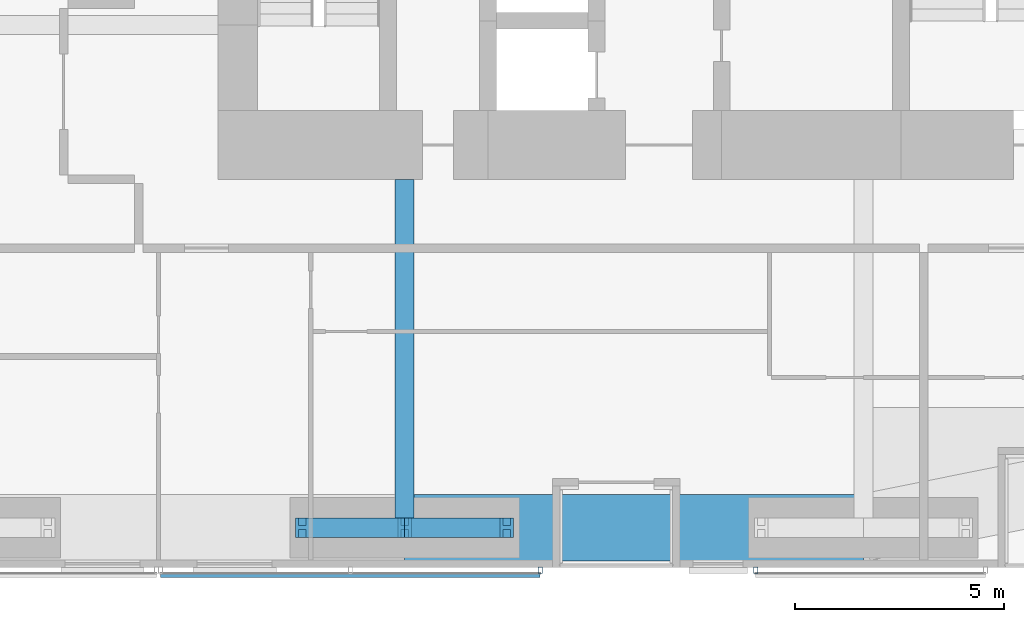
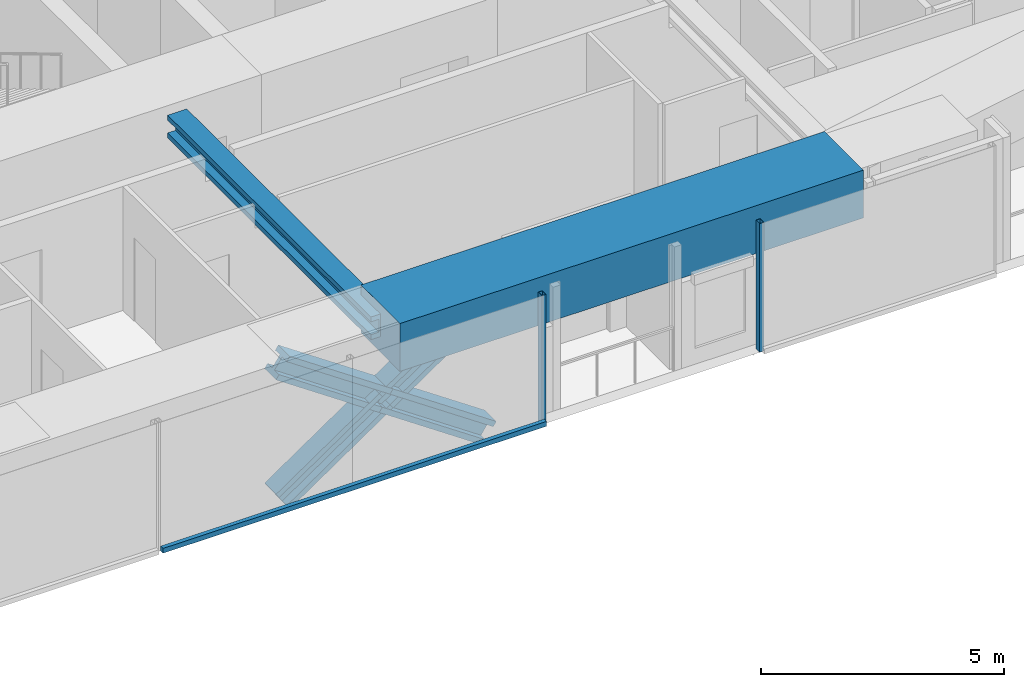
# One storey, part 5 of 24: 7 members, 2 beams, 2 elements without a shape of their own.
"""IFC4 building model written with IfcOpenShell, lengths in metres."""

from ifc_helpers import new_model, si_unit, direction, frame, origin, origin_2d, place, context, subcontext, project, spatial, rectangle, hollow_rectangle, i_section, extrude, material, material_profile, profile_set, type_object, element, aggregate, save


model = new_model("IFC4")

# Units and contexts
model_context = context("Model", 3, precision=1e-05, world=origin(), true_north=direction((0.0, 1.0)))
body_context = subcontext(model_context, "Body", "Model", "MODEL_VIEW")
ifc_project = project(units=[si_unit("LENGTHUNIT", "METRE"), si_unit("AREAUNIT", "SQUARE_METRE"), si_unit("VOLUMEUNIT", "CUBIC_METRE"), si_unit("PLANEANGLEUNIT", "RADIAN"), si_unit("MASSUNIT", "GRAM", prefix="KILO")], contexts=[model_context])

# Site, building, storey
site_placement = place(None, origin())
site = spatial("IfcSite", under=ifc_project, at=site_placement, CompositionType="ELEMENT")
building_placement = place(site_placement, origin())
building = spatial("IfcBuilding", under=site, at=building_placement, Name="Jalousie Tower", CompositionType="ELEMENT")
storey_placement = place(building_placement, frame((0.0, 0.0, 51.14990234375)))
storey = spatial("IfcBuildingStorey", under=building, at=storey_placement, Name="L13", CompositionType="ELEMENT", Elevation=51.14990234375)

# Beam
ifc_material_1 = material(Name="Steel ASTM A992 Grade 50", Category="steel")
ifc_material_profile_1 = material_profile(ifc_material_1, i_section(OverallWidth=0.45458984375, OverallDepth=0.569091796875, WebThickness=0.077880859375, FlangeThickness=0.124755859375, at=origin_2d()), Name="W14X730")
ifc_profile_set_1 = profile_set([ifc_material_profile_1], Name="Steel ASTM A992 Grade 50")
beam_type_1 = type_object("IfcBeamType", Name="LEAN COLLECTOR W14X730", PredefinedType="BEAM", material=ifc_profile_set_1)
beam_1_placement = place(storey_placement, frame((24.0, 0.949951171875, 2.82568359375), z_axis=(0.0, 1.0, 0.0), x_axis=(-1.0, 0.0, 0.0)))
element("IfcBeam", 1, at=beam_1_placement, inside=storey, type_object=beam_type_1, Name="Lean collector under L14", PredefinedType="BEAM", context=body_context, shape_type="SweptSolid", body=[
    extrude(i_section(OverallWidth=0.45458984375, OverallDepth=0.569091796875, WebThickness=0.077880859375, FlangeThickness=0.124755859375, at=origin_2d()), origin(), (0.0, 0.0, 1.0), 8.35009765625),
])

# Members
ifc_material_2 = material(Name="Steel ASTM A992 Grade 50", Category="steel")
ifc_material_profile_2 = material_profile(ifc_material_2, i_section(OverallWidth=0.472412109375, OverallDepth=0.5791015625, WebThickness=0.094970703125, FlangeThickness=0.1298828125, at=origin_2d()), Name="W14X808")
ifc_profile_set_2 = profile_set([ifc_material_profile_2], Name="Steel ASTM A992 Grade 50")
member_type_1 = type_object("IfcMemberType", Name="PERIMETER BRACE W14X808", PredefinedType="BRACE", material=ifc_profile_set_2)
for number, where, z_axis, x_axis, name in (
    (2, (21.550048828125, 0.949951171875, -0.599853515625), (0.825500916831, 0.0, 0.564400776321), (0.0, 1.0, 0.0), "Perimeter brace 03 L13 part 1"),
    (3, (24.0, 0.949951171875, 1.0751953125), (0.825539243753, 0.0, 0.564344714713), (0.0, 1.0, 0.0), "Perimeter brace 03 L13 part 2"),
    (4, (26.449951171875, 0.949951171875, -0.599853515625), (-0.825500916831, 0.0, 0.564400776321), (0.0, -1.0, 0.0), "Perimeter brace 03 L13 part 3"),
    (5, (24.0, 0.949951171875, 1.0751953125), (-0.825539243753, 0.0, 0.564344714713), (0.0, -1.0, 0.0), "Perimeter brace 03 L13 part 4"),
):
    element("IfcMember", number, at=place(storey_placement, frame(where, z_axis=z_axis, x_axis=x_axis)), inside=storey, type_object=member_type_1, Name=name, PredefinedType="BRACE", context=body_context, shape_type="SweptSolid", body=[
        extrude(i_section(OverallWidth=0.472412109375, OverallDepth=0.5791015625, WebThickness=0.094970703125, FlangeThickness=0.1298828125, at=origin_2d()), origin(), (0.0, 0.0, 1.0), 2.9677734375),
    ])

# Beam
ifc_material_3 = material(Name="Concrete f'c 40 MPa", Category="concrete")
ifc_material_profile_3 = material_profile(ifc_material_3, rectangle(XDim=1.60009765625, YDim=1.199951171875, at=origin_2d()), Name="RC 1600x1200")
ifc_profile_set_3 = profile_set([ifc_material_profile_3], Name="Concrete f'c 40 MPa")
beam_type_2 = type_object("IfcBeamType", Name="RC BEAM 1600x1200", PredefinedType="BEAM", material=ifc_profile_set_3)
beam_2_placement = place(storey_placement, frame((24.0, 0.949951171875, 2.75), z_axis=(1.0, 0.0, 0.0), x_axis=(0.0, 1.0, 0.0)))
element("IfcBeam", 6, at=beam_2_placement, inside=storey, type_object=beam_type_2, Name="Edge band beam 03-04 under L14", PredefinedType="BEAM", context=body_context, shape_type="SweptSolid", body=[
    extrude(rectangle(XDim=1.60009765625, YDim=1.199951171875, at=origin_2d()), origin(), (0.0, 0.0, 1.0), 11.0),
])

# Curtain wall, member
ifc_material_4 = material(Name="Perforated aluminium sheet", Category="aluminium")
curtain_wall_type = type_object("IfcCurtainWallType", Name="SOLAR SCREEN SS-1", PredefinedType="USERDEFINED", material=ifc_material_4)
curtain_wall_1_placement = place(storey_placement, origin())
curtain_wall_1 = element("IfcCurtainWall", 7, at=curtain_wall_1_placement, inside=storey, type_object=curtain_wall_type, Name="Solar screen L13", ObjectType="SOLAR SCREEN SS-1", PredefinedType="USERDEFINED")
ifc_material_5 = material(Name="Steel ASTM A500 Grade C", Category="steel")
ifc_material_profile_4 = material_profile(ifc_material_5, hollow_rectangle(XDim=0.1015625, YDim=0.15234375, WallThickness=0.00634765625, at=origin_2d()), Name="HSS6X4X1/4")
ifc_profile_set_4 = profile_set([ifc_material_profile_4], Name="Steel ASTM A500 Grade C")
member_type_2 = type_object("IfcMemberType", Name="SOLAR SCREEN SS-1 MULLION", PredefinedType="MULLION", material=ifc_profile_set_4)
member_1_placement = place(storey_placement, frame((27.25, -0.0712890625, -0.119873046875), z_axis=(0.0, 0.0, 1.0), x_axis=(1.0, 0.0, 0.0)))
member_1 = element("IfcMember", 8, at=member_1_placement, type_object=member_type_2, Name="SS1 post 3", PredefinedType="MULLION", context=body_context, shape_type="SweptSolid", body=[
    extrude(hollow_rectangle(XDim=0.1015625, YDim=0.15234375, WallThickness=0.00634765625, at=origin_2d()), origin(), (0.0, 0.0, 1.0), 3.22998046875),
])

curtain_wall_2_placement = place(storey_placement, origin())
curtain_wall_2 = element("IfcCurtainWall", 9, at=curtain_wall_2_placement, inside=storey, type_object=curtain_wall_type, Name="Solar screen L13", ObjectType="SOLAR SCREEN SS-1", PredefinedType="USERDEFINED")
member_2_placement = place(storey_placement, frame((32.41748046875, -0.0712890625, -0.119873046875), z_axis=(0.0, 0.0, 1.0), x_axis=(1.0, 0.0, 0.0)))
member_2 = element("IfcMember", 10, at=member_2_placement, type_object=member_type_2, Name="SS1 post 1", PredefinedType="MULLION", context=body_context, shape_type="SweptSolid", body=[
    extrude(hollow_rectangle(XDim=0.1015625, YDim=0.15234375, WallThickness=0.00634765625, at=origin_2d()), origin(), (0.0, 0.0, 1.0), 3.22998046875),
])
aggregate(curtain_wall_2, [member_2])

# Member
ifc_material_6 = material(Name="Extruded aluminium screen rail", Category="aluminium")
ifc_material_profile_5 = material_profile(ifc_material_6, rectangle(XDim=0.1015625, YDim=0.1201171875, at=origin_2d()), Name="RAIL 102x120")
ifc_profile_set_5 = profile_set([ifc_material_profile_5], Name="Extruded aluminium screen rail")
member_type_3 = type_object("IfcMemberType", Name="SOLAR SCREEN SS-1 TRANSOM", PredefinedType="USERDEFINED", material=ifc_profile_set_5)
member_3_placement = place(storey_placement, frame((18.14990234375, -0.1982421875, -0.059814453125), z_axis=(1.0, 0.0, 0.0), x_axis=(0.0, 1.0, 0.0)))
member_3 = element("IfcMember", 11, at=member_3_placement, type_object=member_type_3, Name="SS1 rail", ObjectType="TRANSOM", PredefinedType="USERDEFINED", context=body_context, shape_type="SweptSolid", body=[
    extrude(rectangle(XDim=0.1015625, YDim=0.1201171875, at=origin_2d()), origin(), (0.0, 0.0, 1.0), 9.10009765625),
])

aggregate(curtain_wall_1, [member_1, member_3])

save(model, "model.ifc")
